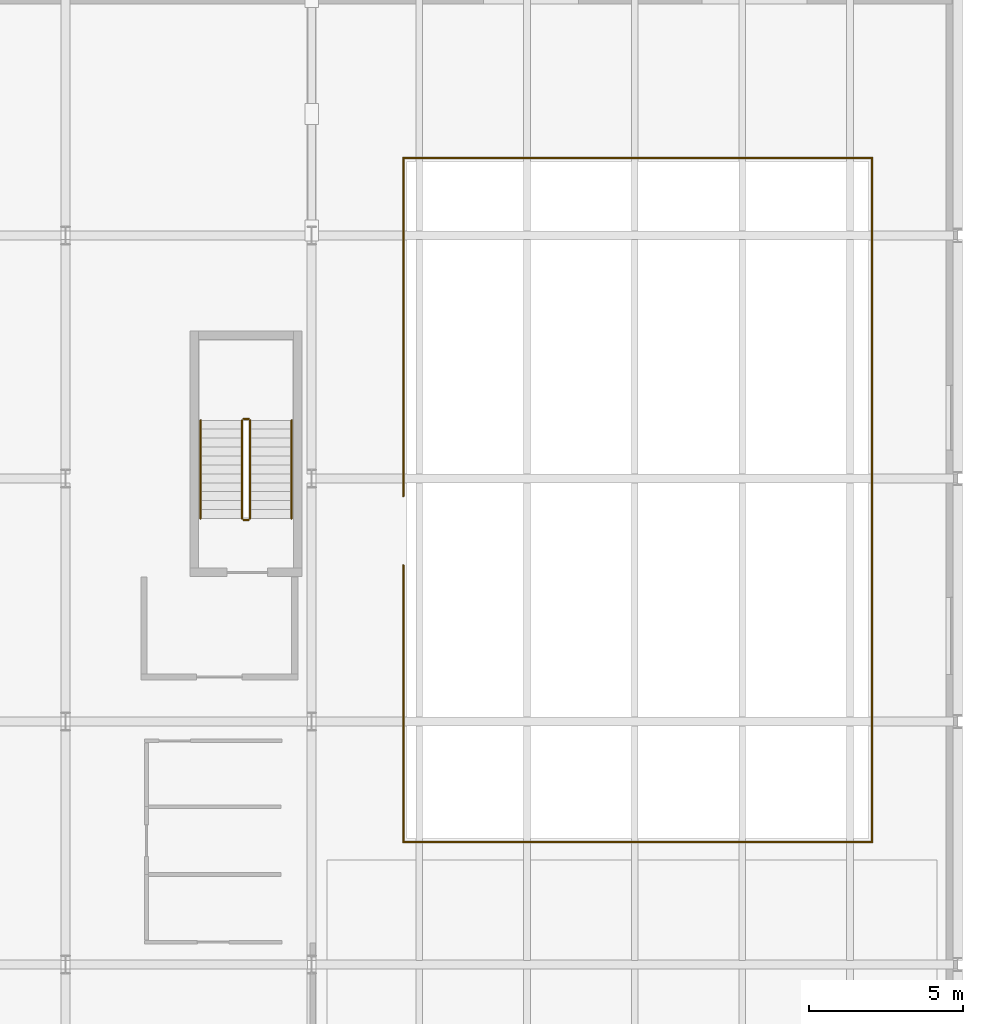
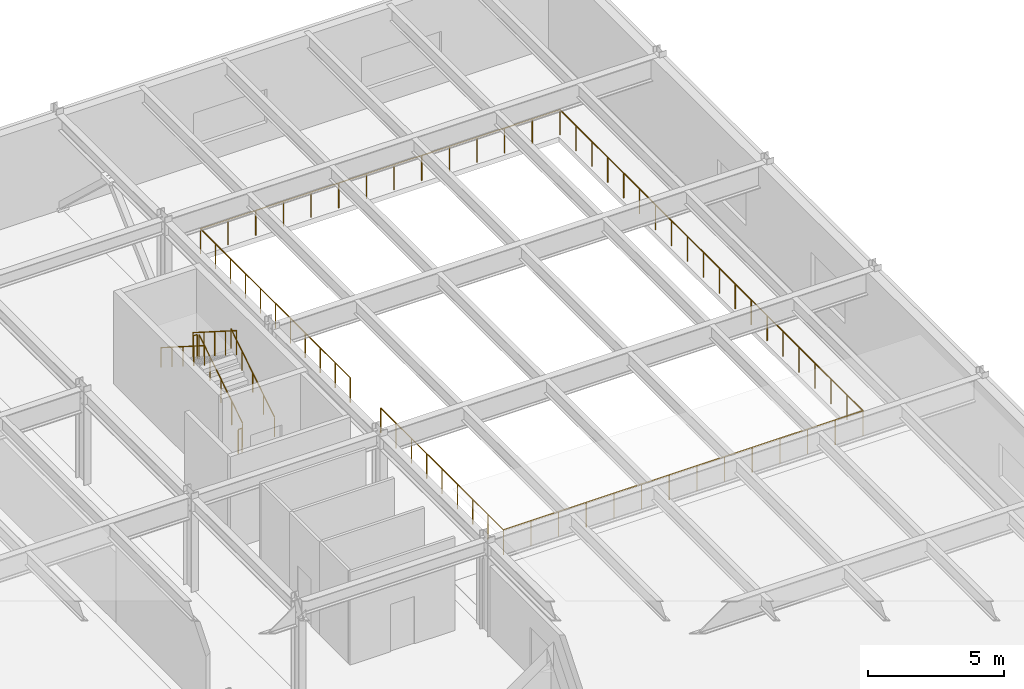
# One storey, part 103 of 103: 11 railings.
"""IFC4 building model written with IfcOpenShell, lengths in metres."""

from ifc_helpers import new_model, si_unit, direction, frame, origin, origin_2d, place, context, subcontext, project, spatial, circle, extrude, material, type_object, element, save


model = new_model("IFC4")

# Units and contexts
model_context = context("Model", 3, precision=1e-05, world=origin(), true_north=direction((0.0, 1.0)))
body_context = subcontext(model_context, "Body", "Model", "MODEL_VIEW")
ifc_project = project(units=[si_unit("LENGTHUNIT", "METRE"), si_unit("AREAUNIT", "SQUARE_METRE"), si_unit("VOLUMEUNIT", "CUBIC_METRE"), si_unit("PLANEANGLEUNIT", "RADIAN"), si_unit("MASSUNIT", "GRAM", prefix="KILO")], contexts=[model_context])

# Site, building, storey
site_placement = place(None, origin())
site = spatial("IfcSite", under=ifc_project, at=site_placement, CompositionType="ELEMENT")
building_placement = place(site_placement, origin())
building = spatial("IfcBuilding", under=site, at=building_placement, Name="Varnklinge Art Gallery", CompositionType="ELEMENT")
storey_placement = place(building_placement, frame((0.0, 0.0, 5.10009765625)))
storey = spatial("IfcBuildingStorey", under=building, at=storey_placement, Name="L01", CompositionType="ELEMENT", Elevation=5.10009765625)

# Railings
ifc_material_1 = material(Name="Anodised Aluminium", Category="aluminium")
railing_type_1 = type_object("IfcRailingType", Name="BAL-01", PredefinedType="BALUSTRADE", material=ifc_material_1)
railing_1_placement = place(storey_placement, frame((161.6201171875, 85.8798828125, 0.0)))
element("IfcRailing", 1, at=railing_1_placement, inside=storey, type_object=railing_type_1, Name="L01 Atrium Void Balustrade 2.1", PredefinedType="BALUSTRADE", context=body_context, shape_type="SweptSolid", body=[
    extrude(circle(Radius=0.02392578125, at=origin_2d()), frame((0.0, 0.0, 1.11572265625), z_axis=(0.0, 1.0, 0.0), x_axis=(-1.0, 0.0, 0.0)), (0.0, 0.0, 1.0), 22.240234375),
    extrude(circle(Radius=0.02099609375, at=origin_2d()), origin(), (0.0, 0.0, 1.0), 1.091796875),
    extrude(circle(Radius=0.02099609375, at=origin_2d()), frame((0.0, 1.170654296875, 0.0)), (0.0, 0.0, 1.0), 1.091796875),
    extrude(circle(Radius=0.02099609375, at=origin_2d()), frame((0.0, 2.341064453125, 0.0)), (0.0, 0.0, 1.0), 1.091796875),
    extrude(circle(Radius=0.02099609375, at=origin_2d()), frame((0.0, 3.51171875, 0.0)), (0.0, 0.0, 1.0), 1.091796875),
    extrude(circle(Radius=0.02099609375, at=origin_2d()), frame((0.0, 4.68212890625, 0.0)), (0.0, 0.0, 1.0), 1.091796875),
    extrude(circle(Radius=0.02099609375, at=origin_2d()), frame((0.0, 5.852783203125, 0.0)), (0.0, 0.0, 1.0), 1.091796875),
    extrude(circle(Radius=0.02099609375, at=origin_2d()), frame((0.0, 7.023193359375, 0.0)), (0.0, 0.0, 1.0), 1.091796875),
    extrude(circle(Radius=0.02099609375, at=origin_2d()), frame((0.0, 8.19384765625, 0.0)), (0.0, 0.0, 1.0), 1.091796875),
    extrude(circle(Radius=0.02099609375, at=origin_2d()), frame((0.0, 9.3642578125, 0.0)), (0.0, 0.0, 1.0), 1.091796875),
    extrude(circle(Radius=0.02099609375, at=origin_2d()), frame((0.0, 10.534912109375, 0.0)), (0.0, 0.0, 1.0), 1.091796875),
    extrude(circle(Radius=0.02099609375, at=origin_2d()), frame((0.0, 11.705322265625, 0.0)), (0.0, 0.0, 1.0), 1.091796875),
    extrude(circle(Radius=0.02099609375, at=origin_2d()), frame((0.0, 12.8759765625, 0.0)), (0.0, 0.0, 1.0), 1.091796875),
    extrude(circle(Radius=0.02099609375, at=origin_2d()), frame((0.0, 14.04638671875, 0.0)), (0.0, 0.0, 1.0), 1.091796875),
    extrude(circle(Radius=0.02099609375, at=origin_2d()), frame((0.0, 15.217041015625, 0.0)), (0.0, 0.0, 1.0), 1.091796875),
    extrude(circle(Radius=0.02099609375, at=origin_2d()), frame((0.0, 16.387451171875, 0.0)), (0.0, 0.0, 1.0), 1.091796875),
    extrude(circle(Radius=0.02099609375, at=origin_2d()), frame((0.0, 17.55810546875, 0.0)), (0.0, 0.0, 1.0), 1.091796875),
    extrude(circle(Radius=0.02099609375, at=origin_2d()), frame((0.0, 18.728515625, 0.0)), (0.0, 0.0, 1.0), 1.091796875),
    extrude(circle(Radius=0.02099609375, at=origin_2d()), frame((0.0, 19.899169921875, 0.0)), (0.0, 0.0, 1.0), 1.091796875),
    extrude(circle(Radius=0.02099609375, at=origin_2d()), frame((0.0, 21.069580078125, 0.0)), (0.0, 0.0, 1.0), 1.091796875),
    extrude(circle(Radius=0.02099609375, at=origin_2d()), frame((0.0, 22.240234375, 0.0)), (0.0, 0.0, 1.0), 1.091796875),
])
railing_2_placement = place(storey_placement, frame((161.6201171875, 108.1201171875, 0.0)))
element("IfcRailing", 2, at=railing_2_placement, inside=storey, type_object=railing_type_1, Name="L01 Atrium Void Balustrade 2.2", PredefinedType="BALUSTRADE", context=body_context, shape_type="SweptSolid", body=[
    extrude(circle(Radius=0.02392578125, at=origin_2d()), frame((0.0, 0.0, 1.11572265625), z_axis=(-1.0, 0.0, 0.0), x_axis=(0.0, -1.0, 0.0)), (0.0, 0.0, 1.0), 15.240234375),
    extrude(circle(Radius=0.02099609375, at=origin_2d()), origin(), (0.0, 0.0, 1.0), 1.091796875),
    extrude(circle(Radius=0.02099609375, at=origin_2d()), frame((-1.17236328125, 0.0, 0.0)), (0.0, 0.0, 1.0), 1.091796875),
    extrude(circle(Radius=0.02099609375, at=origin_2d()), frame((-2.3447265625, 0.0, 0.0)), (0.0, 0.0, 1.0), 1.091796875),
    extrude(circle(Radius=0.02099609375, at=origin_2d()), frame((-3.51708984375, 0.0, 0.0)), (0.0, 0.0, 1.0), 1.091796875),
    extrude(circle(Radius=0.02099609375, at=origin_2d()), frame((-4.689208984375, 0.0, 0.0)), (0.0, 0.0, 1.0), 1.091796875),
    extrude(circle(Radius=0.02099609375, at=origin_2d()), frame((-5.861572265625, 0.0, 0.0)), (0.0, 0.0, 1.0), 1.091796875),
    extrude(circle(Radius=0.02099609375, at=origin_2d()), frame((-7.033935546875, 0.0, 0.0)), (0.0, 0.0, 1.0), 1.091796875),
    extrude(circle(Radius=0.02099609375, at=origin_2d()), frame((-8.206298828125, 0.0, 0.0)), (0.0, 0.0, 1.0), 1.091796875),
    extrude(circle(Radius=0.02099609375, at=origin_2d()), frame((-9.378662109375, 0.0, 0.0)), (0.0, 0.0, 1.0), 1.091796875),
    extrude(circle(Radius=0.02099609375, at=origin_2d()), frame((-10.551025390625, 0.0, 0.0)), (0.0, 0.0, 1.0), 1.091796875),
    extrude(circle(Radius=0.02099609375, at=origin_2d()), frame((-11.72314453125, 0.0, 0.0)), (0.0, 0.0, 1.0), 1.091796875),
    extrude(circle(Radius=0.02099609375, at=origin_2d()), frame((-12.8955078125, 0.0, 0.0)), (0.0, 0.0, 1.0), 1.091796875),
    extrude(circle(Radius=0.02099609375, at=origin_2d()), frame((-14.06787109375, 0.0, 0.0)), (0.0, 0.0, 1.0), 1.091796875),
    extrude(circle(Radius=0.02099609375, at=origin_2d()), frame((-15.240234375, 0.0, 0.0)), (0.0, 0.0, 1.0), 1.091796875),
])
railing_3_placement = place(storey_placement, frame((146.3798828125, 85.8798828125, 0.0)))
element("IfcRailing", 3, at=railing_3_placement, inside=storey, type_object=railing_type_1, Name="L01 Atrium Void Balustrade 2.3A", PredefinedType="BALUSTRADE", context=body_context, shape_type="SweptSolid", body=[
    extrude(circle(Radius=0.02392578125, at=origin_2d()), frame((0.0, 0.0, 1.11572265625), z_axis=(0.0, 1.0, 0.0), x_axis=(-1.0, 0.0, 0.0)), (0.0, 0.0, 1.0), 9.0),
    extrude(circle(Radius=0.02099609375, at=origin_2d()), origin(), (0.0, 0.0, 1.0), 1.091796875),
    extrude(circle(Radius=0.02099609375, at=origin_2d()), frame((0.0, 1.125, 0.0)), (0.0, 0.0, 1.0), 1.091796875),
    extrude(circle(Radius=0.02099609375, at=origin_2d()), frame((0.0, 2.25, 0.0)), (0.0, 0.0, 1.0), 1.091796875),
    extrude(circle(Radius=0.02099609375, at=origin_2d()), frame((0.0, 3.375, 0.0)), (0.0, 0.0, 1.0), 1.091796875),
    extrude(circle(Radius=0.02099609375, at=origin_2d()), frame((0.0, 4.5, 0.0)), (0.0, 0.0, 1.0), 1.091796875),
    extrude(circle(Radius=0.02099609375, at=origin_2d()), frame((0.0, 5.625, 0.0)), (0.0, 0.0, 1.0), 1.091796875),
    extrude(circle(Radius=0.02099609375, at=origin_2d()), frame((0.0, 6.75, 0.0)), (0.0, 0.0, 1.0), 1.091796875),
    extrude(circle(Radius=0.02099609375, at=origin_2d()), frame((0.0, 7.875, 0.0)), (0.0, 0.0, 1.0), 1.091796875),
    extrude(circle(Radius=0.02099609375, at=origin_2d()), frame((0.0, 9.0, 0.0)), (0.0, 0.0, 1.0), 1.091796875),
])
railing_4_placement = place(storey_placement, frame((146.3798828125, 97.1201171875, 0.0)))
element("IfcRailing", 4, at=railing_4_placement, inside=storey, type_object=railing_type_1, Name="L01 Atrium Void Balustrade 2.3B", PredefinedType="BALUSTRADE", context=body_context, shape_type="SweptSolid", body=[
    extrude(circle(Radius=0.02392578125, at=origin_2d()), frame((0.0, 0.0, 1.11572265625), z_axis=(0.0, 1.0, 0.0), x_axis=(-1.0, 0.0, 0.0)), (0.0, 0.0, 1.0), 11.0),
    extrude(circle(Radius=0.02099609375, at=origin_2d()), origin(), (0.0, 0.0, 1.0), 1.091796875),
    extrude(circle(Radius=0.02099609375, at=origin_2d()), frame((0.0, 1.10009765625, 0.0)), (0.0, 0.0, 1.0), 1.091796875),
    extrude(circle(Radius=0.02099609375, at=origin_2d()), frame((0.0, 2.199951171875, 0.0)), (0.0, 0.0, 1.0), 1.091796875),
    extrude(circle(Radius=0.02099609375, at=origin_2d()), frame((0.0, 3.300048828125, 0.0)), (0.0, 0.0, 1.0), 1.091796875),
    extrude(circle(Radius=0.02099609375, at=origin_2d()), frame((0.0, 4.39990234375, 0.0)), (0.0, 0.0, 1.0), 1.091796875),
    extrude(circle(Radius=0.02099609375, at=origin_2d()), frame((0.0, 5.5, 0.0)), (0.0, 0.0, 1.0), 1.091796875),
    extrude(circle(Radius=0.02099609375, at=origin_2d()), frame((0.0, 6.60009765625, 0.0)), (0.0, 0.0, 1.0), 1.091796875),
    extrude(circle(Radius=0.02099609375, at=origin_2d()), frame((0.0, 7.699951171875, 0.0)), (0.0, 0.0, 1.0), 1.091796875),
    extrude(circle(Radius=0.02099609375, at=origin_2d()), frame((0.0, 8.800048828125, 0.0)), (0.0, 0.0, 1.0), 1.091796875),
    extrude(circle(Radius=0.02099609375, at=origin_2d()), frame((0.0, 9.89990234375, 0.0)), (0.0, 0.0, 1.0), 1.091796875),
    extrude(circle(Radius=0.02099609375, at=origin_2d()), frame((0.0, 11.0, 0.0)), (0.0, 0.0, 1.0), 1.091796875),
])
railing_5_placement = place(storey_placement, frame((146.3798828125, 85.8798828125, 0.0)))
element("IfcRailing", 5, at=railing_5_placement, inside=storey, type_object=railing_type_1, Name="L01 Atrium Void Balustrade 2.4", PredefinedType="BALUSTRADE", context=body_context, shape_type="SweptSolid", body=[
    extrude(circle(Radius=0.02392578125, at=origin_2d()), frame((0.0, 0.0, 1.11572265625), z_axis=(1.0, 0.0, 0.0), x_axis=(0.0, 1.0, 0.0)), (0.0, 0.0, 1.0), 15.240234375),
    extrude(circle(Radius=0.02099609375, at=origin_2d()), origin(), (0.0, 0.0, 1.0), 1.091796875),
    extrude(circle(Radius=0.02099609375, at=origin_2d()), frame((1.17236328125, 0.0, 0.0)), (0.0, 0.0, 1.0), 1.091796875),
    extrude(circle(Radius=0.02099609375, at=origin_2d()), frame((2.3447265625, 0.0, 0.0)), (0.0, 0.0, 1.0), 1.091796875),
    extrude(circle(Radius=0.02099609375, at=origin_2d()), frame((3.51708984375, 0.0, 0.0)), (0.0, 0.0, 1.0), 1.091796875),
    extrude(circle(Radius=0.02099609375, at=origin_2d()), frame((4.689208984375, 0.0, 0.0)), (0.0, 0.0, 1.0), 1.091796875),
    extrude(circle(Radius=0.02099609375, at=origin_2d()), frame((5.861572265625, 0.0, 0.0)), (0.0, 0.0, 1.0), 1.091796875),
    extrude(circle(Radius=0.02099609375, at=origin_2d()), frame((7.033935546875, 0.0, 0.0)), (0.0, 0.0, 1.0), 1.091796875),
    extrude(circle(Radius=0.02099609375, at=origin_2d()), frame((8.206298828125, 0.0, 0.0)), (0.0, 0.0, 1.0), 1.091796875),
    extrude(circle(Radius=0.02099609375, at=origin_2d()), frame((9.378662109375, 0.0, 0.0)), (0.0, 0.0, 1.0), 1.091796875),
    extrude(circle(Radius=0.02099609375, at=origin_2d()), frame((10.551025390625, 0.0, 0.0)), (0.0, 0.0, 1.0), 1.091796875),
    extrude(circle(Radius=0.02099609375, at=origin_2d()), frame((11.72314453125, 0.0, 0.0)), (0.0, 0.0, 1.0), 1.091796875),
    extrude(circle(Radius=0.02099609375, at=origin_2d()), frame((12.8955078125, 0.0, 0.0)), (0.0, 0.0, 1.0), 1.091796875),
    extrude(circle(Radius=0.02099609375, at=origin_2d()), frame((14.06787109375, 0.0, 0.0)), (0.0, 0.0, 1.0), 1.091796875),
    extrude(circle(Radius=0.02099609375, at=origin_2d()), frame((15.240234375, 0.0, 0.0)), (0.0, 0.0, 1.0), 1.091796875),
])
ifc_material_2 = material(Name="Steel S355", Category="steel")
railing_type_2 = type_object("IfcRailingType", Name="GR-INT", PredefinedType="GUARDRAIL", material=ifc_material_2)
railing_6_placement = place(storey_placement, frame((141.39990234375, 96.39990234375, 0.18408203125)))
element("IfcRailing", 6, at=railing_6_placement, inside=storey, type_object=railing_type_2, Name="L01 ST-07 stair guard 1", PredefinedType="GUARDRAIL", context=body_context, shape_type="SweptSolid", body=[
    extrude(circle(Radius=0.02392578125, at=origin_2d()), frame((0.0, 0.0, 1.076171875), z_axis=(0.0, 0.844169194605, 0.536076833001), x_axis=(-1.0, 0.0, 0.0)), (0.0, 0.0, 1.0), 3.779052734375),
    extrude(circle(Radius=0.02099609375, at=origin_2d()), origin(), (0.0, 0.0, 1.0), 1.052001953125),
    extrude(circle(Radius=0.02099609375, at=origin_2d()), frame((0.0, 0.797607421875, 0.50634765625)), (0.0, 0.0, 1.0), 1.052001953125),
    extrude(circle(Radius=0.02099609375, at=origin_2d()), frame((0.0, 1.59521484375, 1.012939453125)), (0.0, 0.0, 1.0), 1.052001953125),
    extrude(circle(Radius=0.02099609375, at=origin_2d()), frame((0.0, 2.392578125, 1.51953125)), (0.0, 0.0, 1.0), 1.052001953125),
    extrude(circle(Radius=0.02099609375, at=origin_2d()), frame((0.0, 3.190185546875, 2.02587890625)), (0.0, 0.0, 1.0), 1.052001953125),
])
railing_7_placement = place(storey_placement, frame((141.35009765625, 99.639892578125, 2.2099609375)))
element("IfcRailing", 7, at=railing_7_placement, inside=storey, type_object=railing_type_2, Name="L01 ST-07 stair guard 2", PredefinedType="GUARDRAIL", context=body_context, shape_type="SweptSolid", body=[
    extrude(circle(Radius=0.02392578125, at=origin_2d()), frame((0.0, 0.0, 1.076171875), z_axis=(-1.0, 0.0, 0.0), x_axis=(0.0, -1.0, 0.0)), (0.0, 0.0, 1.0), 0.16015625),
    extrude(circle(Radius=0.02099609375, at=origin_2d()), origin(), (0.0, 0.0, 1.0), 1.052001953125),
    extrude(circle(Radius=0.02099609375, at=origin_2d()), frame((-0.16015625, 0.0, 0.0)), (0.0, 0.0, 1.0), 1.052001953125),
])
railing_8_placement = place(storey_placement, frame((141.139892578125, 99.590087890625, 2.39404296875)))
element("IfcRailing", 8, at=railing_8_placement, inside=storey, type_object=railing_type_2, Name="L01 ST-07 stair guard 3", PredefinedType="GUARDRAIL", context=body_context, shape_type="SweptSolid", body=[
    extrude(circle(Radius=0.02392578125, at=origin_2d()), frame((0.0, 0.0, 1.076171875), z_axis=(0.0, -0.844169194605, 0.536076833001), x_axis=(1.0, 0.0, 0.0)), (0.0, 0.0, 1.0), 3.779052734375),
    extrude(circle(Radius=0.02099609375, at=origin_2d()), origin(), (0.0, 0.0, 1.0), 1.052001953125),
    extrude(circle(Radius=0.02099609375, at=origin_2d()), frame((0.0, -0.797607421875, 0.50634765625)), (0.0, 0.0, 1.0), 1.052001953125),
    extrude(circle(Radius=0.02099609375, at=origin_2d()), frame((0.0, -1.59521484375, 1.012939453125)), (0.0, 0.0, 1.0), 1.052001953125),
    extrude(circle(Radius=0.02099609375, at=origin_2d()), frame((0.0, -2.392578125, 1.51953125)), (0.0, 0.0, 1.0), 1.052001953125),
    extrude(circle(Radius=0.02099609375, at=origin_2d()), frame((0.0, -3.190185546875, 2.02587890625)), (0.0, 0.0, 1.0), 1.052001953125),
])
railing_9_placement = place(storey_placement, frame((141.35009765625, 96.35009765625, 0.0)))
element("IfcRailing", 9, at=railing_9_placement, inside=storey, type_object=railing_type_2, Name="L01 ST-07 stair guard 4", PredefinedType="GUARDRAIL", context=body_context, shape_type="SweptSolid", body=[
    extrude(circle(Radius=0.02392578125, at=origin_2d()), frame((0.0, 0.0, 1.076171875), z_axis=(-1.0, 0.0, 0.0), x_axis=(0.0, -1.0, 0.0)), (0.0, 0.0, 1.0), 0.16015625),
    extrude(circle(Radius=0.02099609375, at=origin_2d()), origin(), (0.0, 0.0, 1.0), 1.052001953125),
    extrude(circle(Radius=0.02099609375, at=origin_2d()), frame((-0.16015625, 0.0, 0.0)), (0.0, 0.0, 1.0), 1.052001953125),
])
ifc_material_3 = material(Name="Steel S355", Category="steel")
railing_type_3 = type_object("IfcRailingType", Name="HR-01", PredefinedType="HANDRAIL", material=ifc_material_3)
railing_10_placement = place(storey_placement, frame((142.75, 96.39990234375, 0.18408203125)))
element("IfcRailing", 10, at=railing_10_placement, inside=storey, type_object=railing_type_3, Name="L01 ST-07 stair handrail 1", PredefinedType="HANDRAIL", context=body_context, shape_type="SweptSolid", body=[
    extrude(circle(Radius=0.02392578125, at=origin_2d()), frame((0.0, 0.0, 0.8759765625), z_axis=(0.0, 0.844169194605, 0.536076833001), x_axis=(-1.0, 0.0, 0.0)), (0.0, 0.0, 1.0), 3.779052734375),
    extrude(circle(Radius=0.02099609375, at=origin_2d()), origin(), (0.0, 0.0, 1.0), 0.851806640625),
    extrude(circle(Radius=0.02099609375, at=origin_2d()), frame((0.0, 0.797607421875, 0.50634765625)), (0.0, 0.0, 1.0), 0.851806640625),
    extrude(circle(Radius=0.02099609375, at=origin_2d()), frame((0.0, 1.59521484375, 1.012939453125)), (0.0, 0.0, 1.0), 0.851806640625),
    extrude(circle(Radius=0.02099609375, at=origin_2d()), frame((0.0, 2.392578125, 1.51953125)), (0.0, 0.0, 1.0), 0.851806640625),
    extrude(circle(Radius=0.02099609375, at=origin_2d()), frame((0.0, 3.190185546875, 2.02587890625)), (0.0, 0.0, 1.0), 0.851806640625),
])
railing_11_placement = place(storey_placement, frame((139.7900390625, 99.590087890625, 2.39404296875)))
element("IfcRailing", 11, at=railing_11_placement, inside=storey, type_object=railing_type_3, Name="L01 ST-07 stair handrail 2", PredefinedType="HANDRAIL", context=body_context, shape_type="SweptSolid", body=[
    extrude(circle(Radius=0.02392578125, at=origin_2d()), frame((0.0, 0.0, 0.8759765625), z_axis=(0.0, -0.844169194605, 0.536076833001), x_axis=(1.0, 0.0, 0.0)), (0.0, 0.0, 1.0), 3.779052734375),
    extrude(circle(Radius=0.02099609375, at=origin_2d()), origin(), (0.0, 0.0, 1.0), 0.851806640625),
    extrude(circle(Radius=0.02099609375, at=origin_2d()), frame((0.0, -0.797607421875, 0.50634765625)), (0.0, 0.0, 1.0), 0.851806640625),
    extrude(circle(Radius=0.02099609375, at=origin_2d()), frame((0.0, -1.59521484375, 1.012939453125)), (0.0, 0.0, 1.0), 0.851806640625),
    extrude(circle(Radius=0.02099609375, at=origin_2d()), frame((0.0, -2.392578125, 1.51953125)), (0.0, 0.0, 1.0), 0.851806640625),
    extrude(circle(Radius=0.02099609375, at=origin_2d()), frame((0.0, -3.190185546875, 2.02587890625)), (0.0, 0.0, 1.0), 0.851806640625),
])

save(model, "model.ifc")
